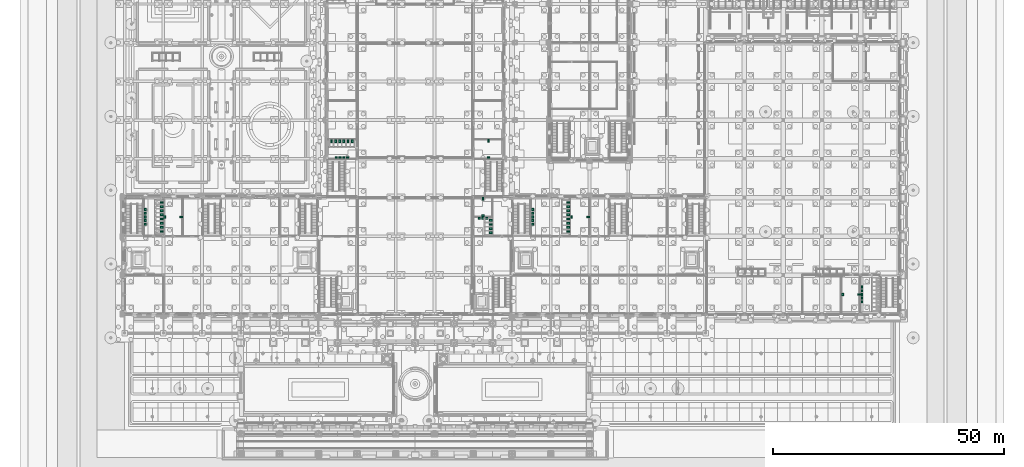
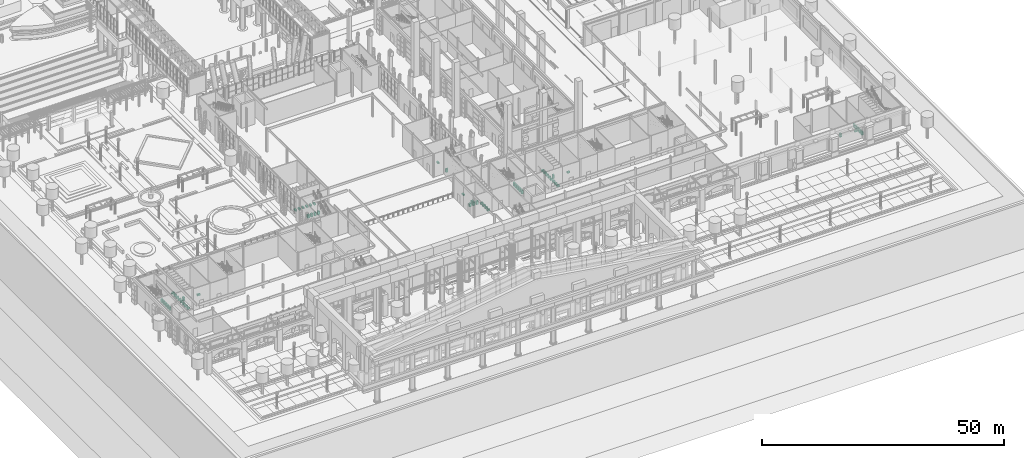
# One storey, part 216 of 222: 58 sanitary terminals.
"""IFC4 building model written with IfcOpenShell, lengths in metres."""

from ifc_helpers import new_model, si_unit, direction, frame, origin, origin_2d, place, context, subcontext, project, spatial, rectangle, extrude, element, save


model = new_model("IFC4")

# Units and contexts
model_context = context("Model", 3, precision=1e-05, world=origin(), true_north=direction((0.0, 1.0)))
body_context = subcontext(model_context, "Body", "Model", "MODEL_VIEW")
ifc_project = project(units=[si_unit("LENGTHUNIT", "METRE"), si_unit("AREAUNIT", "SQUARE_METRE"), si_unit("VOLUMEUNIT", "CUBIC_METRE"), si_unit("PLANEANGLEUNIT", "RADIAN"), si_unit("MASSUNIT", "GRAM", prefix="KILO")], contexts=[model_context])

# Site, building, storey
site_placement = place(None, origin())
site = spatial("IfcSite", under=ifc_project, at=site_placement, CompositionType="ELEMENT")
building_placement = place(site_placement, origin())
building = spatial("IfcBuilding", under=site, at=building_placement, Name="Sava Quay Ferry Terminal", CompositionType="ELEMENT")
storey_placement = place(building_placement, origin())
storey = spatial("IfcBuildingStorey", under=building, at=storey_placement, Name="L00", CompositionType="ELEMENT", Elevation=0.0)

# Sanitary terminals
for number, where, z_axis, x_axis, name in (
    (1, (79.39990234375, 42.75, 0.0), (0.0, 0.0, 1.0), (1.0, 0.0, 0.0), "WC pan"),
    (2, (79.39990234375, 43.64990234375, 0.0), (0.0, 0.0, 1.0), (1.0, 0.0, 0.0), "WC pan"),
    (3, (79.39990234375, 44.550048828125, 0.0), (0.0, 0.0, 1.0), (1.0, 0.0, 0.0), "WC pan"),
    (4, (79.39990234375, 45.449951171875, 0.0), (0.0, 0.0, 1.0), (1.0, 0.0, 0.0), "WC pan"),
    (5, (8.0, 43.050048828125, 0.0), (0.0, 0.0, 1.0), (1.0, 0.0, 0.0), "WC pan"),
    (6, (8.0, 43.949951171875, 0.0), (0.0, 0.0, 1.0), (1.0, 0.0, 0.0), "WC pan"),
    (7, (8.0, 44.85009765625, 0.0), (0.0, 0.0, 1.0), (1.0, 0.0, 0.0), "WC pan"),
    (8, (8.0, 45.75, 0.0), (0.0, 0.0, 1.0), (1.0, 0.0, 0.0), "WC pan"),
    (9, (8.0, 46.64990234375, 0.0), (0.0, 0.0, 1.0), (1.0, 0.0, 0.0), "WC pan"),
    (10, (8.0, 47.550048828125, 0.0), (0.0, 0.0, 1.0), (1.0, 0.0, 0.0), "WC pan"),
    (11, (8.0, 48.449951171875, 0.0), (0.0, 0.0, 1.0), (1.0, 0.0, 0.0), "WC pan"),
    (12, (8.0, 49.35009765625, 0.0), (0.0, 0.0, 1.0), (1.0, 0.0, 0.0), "WC pan"),
    (13, (96.199951171875, 43.050048828125, 0.0), (0.0, 0.0, 1.0), (1.0, 0.0, 0.0), "WC pan"),
    (14, (96.199951171875, 43.949951171875, 0.0), (0.0, 0.0, 1.0), (1.0, 0.0, 0.0), "WC pan"),
    (15, (96.199951171875, 44.85009765625, 0.0), (0.0, 0.0, 1.0), (1.0, 0.0, 0.0), "WC pan"),
    (16, (96.199951171875, 45.75, 0.0), (0.0, 0.0, 1.0), (1.0, 0.0, 0.0), "WC pan"),
    (17, (96.199951171875, 46.64990234375, 0.0), (0.0, 0.0, 1.0), (1.0, 0.0, 0.0), "WC pan"),
    (18, (96.199951171875, 47.550048828125, 0.0), (0.0, 0.0, 1.0), (1.0, 0.0, 0.0), "WC pan"),
    (19, (96.199951171875, 48.449951171875, 0.0), (0.0, 0.0, 1.0), (1.0, 0.0, 0.0), "WC pan"),
    (20, (96.199951171875, 49.35009765625, 0.0), (0.0, 0.0, 1.0), (1.0, 0.0, 0.0), "WC pan"),
):
    element("IfcSanitaryTerminal", number, at=place(storey_placement, frame(where, z_axis=z_axis, x_axis=x_axis)), inside=storey, Name=name, PredefinedType="WCSEAT", context=body_context, shape_type="SweptSolid", body=[
        extrude(rectangle(XDim=0.64990234375, YDim=0.39990234375, at=origin_2d()), origin(), (0.0, 0.0, 1.0), 0.39990234375),
    ])
for number, where, z_axis, x_axis, name in (
    (21, (44.85009765625, 62.60009765625, 0.0), (0.0, 0.0, 1.0), (1.0, 0.0, 0.0), "WC pan"),
    (22, (45.75, 62.60009765625, 0.0), (0.0, 0.0, 1.0), (1.0, 0.0, 0.0), "WC pan"),
    (23, (46.64990234375, 62.60009765625, 0.0), (0.0, 0.0, 1.0), (1.0, 0.0, 0.0), "WC pan"),
    (24, (47.550048828125, 62.60009765625, 0.0), (0.0, 0.0, 1.0), (1.0, 0.0, 0.0), "WC pan"),
    (25, (48.449951171875, 62.60009765625, 0.0), (0.0, 0.0, 1.0), (1.0, 0.0, 0.0), "WC pan"),
    (26, (49.35009765625, 62.60009765625, 0.0), (0.0, 0.0, 1.0), (1.0, 0.0, 0.0), "WC pan"),
):
    element("IfcSanitaryTerminal", number, at=place(storey_placement, frame(where, z_axis=z_axis, x_axis=x_axis)), inside=storey, Name=name, PredefinedType="WCSEAT", context=body_context, shape_type="SweptSolid", body=[
        extrude(rectangle(XDim=0.39990234375, YDim=0.64990234375, at=origin_2d()), origin(), (0.0, 0.0, 1.0), 0.39990234375),
    ])
for number, where, z_axis, x_axis, name in (
    (27, (76.89990234375, 45.89990234375, 0.0), (0.0, 0.0, 1.0), (1.0, 0.0, 0.0), "Wash basin"),
    (28, (77.699951171875, 45.89990234375, 0.0), (0.0, 0.0, 1.0), (1.0, 0.0, 0.0), "Wash basin"),
    (29, (78.5, 45.89990234375, 0.0), (0.0, 0.0, 1.0), (1.0, 0.0, 0.0), "Wash basin"),
):
    element("IfcSanitaryTerminal", number, at=place(storey_placement, frame(where, z_axis=z_axis, x_axis=x_axis)), inside=storey, Name=name, PredefinedType="WASHHANDBASIN", context=body_context, shape_type="SweptSolid", body=[
        extrude(rectangle(XDim=0.5, YDim=0.39990234375, at=origin_2d()), origin(), (0.0, 0.0, 1.0), 0.85009765625),
    ])
sanitary_terminal_1_placement = place(storey_placement, frame((77.699951171875, 50.10009765625, 0.0), z_axis=(0.0, 0.0, 1.0), x_axis=(1.0, 0.0, 0.0)))
element("IfcSanitaryTerminal", 30, at=sanitary_terminal_1_placement, inside=storey, Name="WC pan", PredefinedType="WCSEAT", context=body_context, shape_type="SweptSolid", body=[
    extrude(rectangle(XDim=0.39990234375, YDim=0.64990234375, at=origin_2d()), origin(), (0.0, 0.0, 1.0), 0.39990234375),
])
sanitary_terminal_2_placement = place(storey_placement, frame((77.699951171875, 46.5, 0.0), z_axis=(0.0, 0.0, 1.0), x_axis=(1.0, 0.0, 0.0)))
element("IfcSanitaryTerminal", 31, at=sanitary_terminal_2_placement, inside=storey, Name="Wash basin", PredefinedType="WASHHANDBASIN", context=body_context, shape_type="SweptSolid", body=[
    extrude(rectangle(XDim=0.5, YDim=0.39990234375, at=origin_2d()), origin(), (0.0, 0.0, 1.0), 0.85009765625),
])
for number, where, z_axis, x_axis, name in (
    (32, (4.5, 44.60009765625, 0.0), (0.0, 0.0, 1.0), (1.0, 0.0, 0.0), "Wash basin"),
    (33, (4.5, 45.39990234375, 0.0), (0.0, 0.0, 1.0), (1.0, 0.0, 0.0), "Wash basin"),
    (34, (4.5, 46.199951171875, 0.0), (0.0, 0.0, 1.0), (1.0, 0.0, 0.0), "Wash basin"),
    (35, (4.5, 47.0, 0.0), (0.0, 0.0, 1.0), (1.0, 0.0, 0.0), "Wash basin"),
    (36, (4.5, 47.800048828125, 0.0), (0.0, 0.0, 1.0), (1.0, 0.0, 0.0), "Wash basin"),
):
    element("IfcSanitaryTerminal", number, at=place(storey_placement, frame(where, z_axis=z_axis, x_axis=x_axis)), inside=storey, Name=name, PredefinedType="WASHHANDBASIN", context=body_context, shape_type="SweptSolid", body=[
        extrude(rectangle(XDim=0.39990234375, YDim=0.5, at=origin_2d()), origin(), (0.0, 0.0, 1.0), 0.85009765625),
    ])
sanitary_terminal_3_placement = place(storey_placement, frame((12.300048828125, 46.199951171875, 0.0), z_axis=(0.0, 0.0, 1.0), x_axis=(1.0, 0.0, 0.0)))
element("IfcSanitaryTerminal", 37, at=sanitary_terminal_3_placement, inside=storey, Name="WC pan", PredefinedType="WCSEAT", context=body_context, shape_type="SweptSolid", body=[
    extrude(rectangle(XDim=0.64990234375, YDim=0.39990234375, at=origin_2d()), origin(), (0.0, 0.0, 1.0), 0.39990234375),
])
for number, where, z_axis, x_axis, name in (
    (38, (8.699951171875, 46.199951171875, 0.0), (0.0, 0.0, 1.0), (1.0, 0.0, 0.0), "Wash basin"),
    (39, (88.5, 44.60009765625, 0.0), (0.0, 0.0, 1.0), (1.0, 0.0, 0.0), "Wash basin"),
    (40, (88.5, 45.39990234375, 0.0), (0.0, 0.0, 1.0), (1.0, 0.0, 0.0), "Wash basin"),
    (41, (88.5, 46.199951171875, 0.0), (0.0, 0.0, 1.0), (1.0, 0.0, 0.0), "Wash basin"),
    (42, (88.5, 47.0, 0.0), (0.0, 0.0, 1.0), (1.0, 0.0, 0.0), "Wash basin"),
    (43, (88.5, 47.800048828125, 0.0), (0.0, 0.0, 1.0), (1.0, 0.0, 0.0), "Wash basin"),
):
    element("IfcSanitaryTerminal", number, at=place(storey_placement, frame(where, z_axis=z_axis, x_axis=x_axis)), inside=storey, Name=name, PredefinedType="WASHHANDBASIN", context=body_context, shape_type="SweptSolid", body=[
        extrude(rectangle(XDim=0.39990234375, YDim=0.5, at=origin_2d()), origin(), (0.0, 0.0, 1.0), 0.85009765625),
    ])
sanitary_terminal_4_placement = place(storey_placement, frame((100.5, 46.199951171875, 0.0), z_axis=(0.0, 0.0, 1.0), x_axis=(1.0, 0.0, 0.0)))
element("IfcSanitaryTerminal", 44, at=sanitary_terminal_4_placement, inside=storey, Name="WC pan", PredefinedType="WCSEAT", context=body_context, shape_type="SweptSolid", body=[
    extrude(rectangle(XDim=0.64990234375, YDim=0.39990234375, at=origin_2d()), origin(), (0.0, 0.0, 1.0), 0.39990234375),
])
sanitary_terminal_5_placement = place(storey_placement, frame((96.89990234375, 46.199951171875, 0.0), z_axis=(0.0, 0.0, 1.0), x_axis=(1.0, 0.0, 0.0)))
element("IfcSanitaryTerminal", 45, at=sanitary_terminal_5_placement, inside=storey, Name="Wash basin", PredefinedType="WASHHANDBASIN", context=body_context, shape_type="SweptSolid", body=[
    extrude(rectangle(XDim=0.39990234375, YDim=0.5, at=origin_2d()), origin(), (0.0, 0.0, 1.0), 0.85009765625),
])
for number, where, z_axis, x_axis, name in (
    (46, (45.89990234375, 59.10009765625, 0.0), (0.0, 0.0, 1.0), (1.0, 0.0, 0.0), "Wash basin"),
    (47, (46.699951171875, 59.10009765625, 0.0), (0.0, 0.0, 1.0), (1.0, 0.0, 0.0), "Wash basin"),
    (48, (47.5, 59.10009765625, 0.0), (0.0, 0.0, 1.0), (1.0, 0.0, 0.0), "Wash basin"),
    (49, (48.300048828125, 59.10009765625, 0.0), (0.0, 0.0, 1.0), (1.0, 0.0, 0.0), "Wash basin"),
):
    element("IfcSanitaryTerminal", number, at=place(storey_placement, frame(where, z_axis=z_axis, x_axis=x_axis)), inside=storey, Name=name, PredefinedType="WASHHANDBASIN", context=body_context, shape_type="SweptSolid", body=[
        extrude(rectangle(XDim=0.5, YDim=0.39990234375, at=origin_2d()), origin(), (0.0, 0.0, 1.0), 0.85009765625),
    ])
sanitary_terminal_6_placement = place(storey_placement, frame((78.89990234375, 62.699951171875, 0.0), z_axis=(0.0, 0.0, 1.0), x_axis=(1.0, 0.0, 0.0)))
element("IfcSanitaryTerminal", 50, at=sanitary_terminal_6_placement, inside=storey, Name="WC pan", PredefinedType="WCSEAT", context=body_context, shape_type="SweptSolid", body=[
    extrude(rectangle(XDim=0.39990234375, YDim=0.64990234375, at=origin_2d()), origin(), (0.0, 0.0, 1.0), 0.39990234375),
])
sanitary_terminal_7_placement = place(storey_placement, frame((78.89990234375, 59.10009765625, 0.0), z_axis=(0.0, 0.0, 1.0), x_axis=(1.0, 0.0, 0.0)))
element("IfcSanitaryTerminal", 51, at=sanitary_terminal_7_placement, inside=storey, Name="Wash basin", PredefinedType="WASHHANDBASIN", context=body_context, shape_type="SweptSolid", body=[
    extrude(rectangle(XDim=0.5, YDim=0.39990234375, at=origin_2d()), origin(), (0.0, 0.0, 1.0), 0.85009765625),
])
sanitary_terminal_8_placement = place(storey_placement, frame((159.300048828125, 29.39990234375, 0.0), z_axis=(0.0, 0.0, 1.0), x_axis=(1.0, 0.0, 0.0)))
element("IfcSanitaryTerminal", 52, at=sanitary_terminal_8_placement, inside=storey, Name="WC pan", PredefinedType="WCSEAT", context=body_context, shape_type="SweptSolid", body=[
    extrude(rectangle(XDim=0.64990234375, YDim=0.39990234375, at=origin_2d()), origin(), (0.0, 0.0, 1.0), 0.39990234375),
])
for number, where, z_axis, x_axis, name in (
    (53, (155.699951171875, 29.39990234375, 0.0), (0.0, 0.0, 1.0), (1.0, 0.0, 0.0), "Wash basin"),
    (54, (159.89990234375, 27.800048828125, 0.0), (0.0, 0.0, 1.0), (1.0, 0.0, 0.0), "Wash basin"),
    (55, (159.89990234375, 28.60009765625, 0.0), (0.0, 0.0, 1.0), (1.0, 0.0, 0.0), "Wash basin"),
    (56, (159.89990234375, 29.39990234375, 0.0), (0.0, 0.0, 1.0), (1.0, 0.0, 0.0), "Wash basin"),
    (57, (159.89990234375, 30.199951171875, 0.0), (0.0, 0.0, 1.0), (1.0, 0.0, 0.0), "Wash basin"),
    (58, (159.89990234375, 31.0, 0.0), (0.0, 0.0, 1.0), (1.0, 0.0, 0.0), "Wash basin"),
):
    element("IfcSanitaryTerminal", number, at=place(storey_placement, frame(where, z_axis=z_axis, x_axis=x_axis)), inside=storey, Name=name, PredefinedType="WASHHANDBASIN", context=body_context, shape_type="SweptSolid", body=[
        extrude(rectangle(XDim=0.39990234375, YDim=0.5, at=origin_2d()), origin(), (0.0, 0.0, 1.0), 0.85009765625),
    ])

save(model, "model.ifc")
